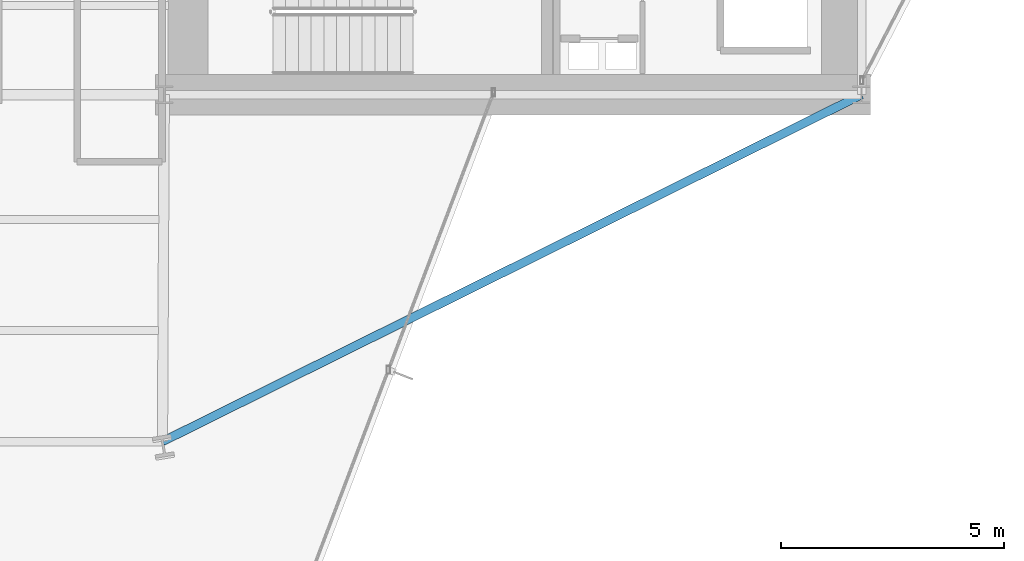
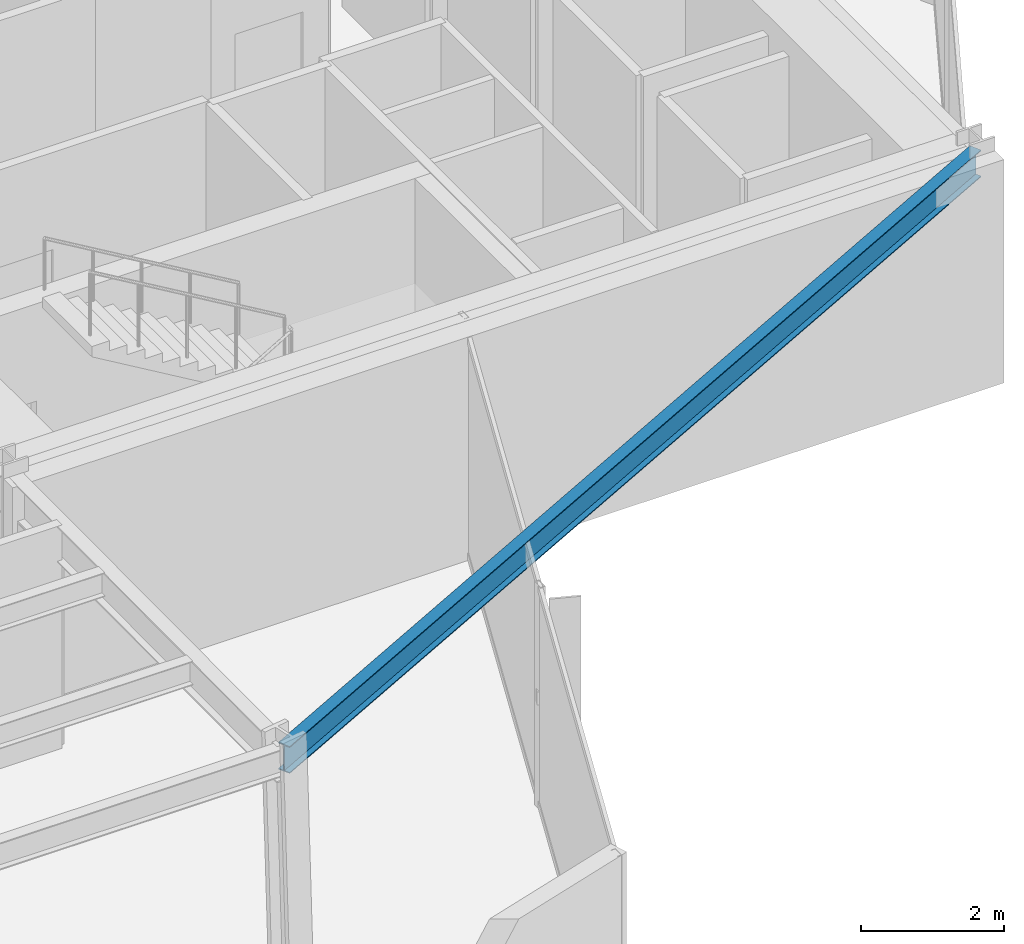
# One storey, part 14 of 28: 1 beam.
"""IFC4 building model written with IfcOpenShell, lengths in metres."""

from ifc_helpers import new_model, si_unit, direction, frame, origin, origin_2d, place, context, subcontext, project, spatial, i_section, extrude, material, material_profile, profile_set, type_object, element, save


model = new_model("IFC4")

# Units and contexts
model_context = context("Model", 3, precision=1e-05, world=origin(), true_north=direction((0.0, 1.0)))
body_context = subcontext(model_context, "Body", "Model", "MODEL_VIEW")
ifc_project = project(units=[si_unit("LENGTHUNIT", "METRE"), si_unit("AREAUNIT", "SQUARE_METRE"), si_unit("VOLUMEUNIT", "CUBIC_METRE"), si_unit("PLANEANGLEUNIT", "RADIAN"), si_unit("MASSUNIT", "GRAM", prefix="KILO")], contexts=[model_context])

# Site, building, storey
site_placement = place(None, origin())
site = spatial("IfcSite", under=ifc_project, at=site_placement, CompositionType="ELEMENT")
building_placement = place(site_placement, origin())
building = spatial("IfcBuilding", under=site, at=building_placement, Name="Veymaron Broadcast Tower", CompositionType="ELEMENT")
storey_placement = place(building_placement, frame((0.0, 0.0, 45.89990234375)))
storey = spatial("IfcBuildingStorey", under=building, at=storey_placement, Name="L09", CompositionType="ELEMENT", Elevation=45.89990234375)

# Beam
ifc_material = material(Name="Structural steel ASTM A992 Gr 50", Category="steel")
ifc_material_profile = material_profile(ifc_material, i_section(OverallWidth=0.19091796875, OverallDepth=0.4599609375, WebThickness=0.010009765625, FlangeThickness=0.01611328125, at=origin_2d()), Name="W460X82")
ifc_profile_set = profile_set([ifc_material_profile], Name="Structural steel ASTM A992 Gr 50")
beam_type = type_object("IfcBeamType", Name="BM-SP1", PredefinedType="SPANDREL", material=ifc_profile_set)
beam_placement = place(storey_placement, frame((54.60009765625, 16.0, 3.580078125), z_axis=(-0.895798915405, -0.444459563019, 0.0), x_axis=(0.444459563019, -0.895798915405, 0.0)))
element("IfcBeam", 1, at=beam_placement, inside=storey, type_object=beam_type, Name="L09 primary structural floor girder", PredefinedType="SPANDREL", context=body_context, shape_type="SweptSolid", body=[
    extrude(i_section(OverallWidth=0.19091796875, OverallDepth=0.4599609375, WebThickness=0.010009765625, FlangeThickness=0.01611328125, at=origin_2d()), origin(), (0.0, 0.0, 1.0), 17.45947265625),
])

save(model, "model.ifc")
